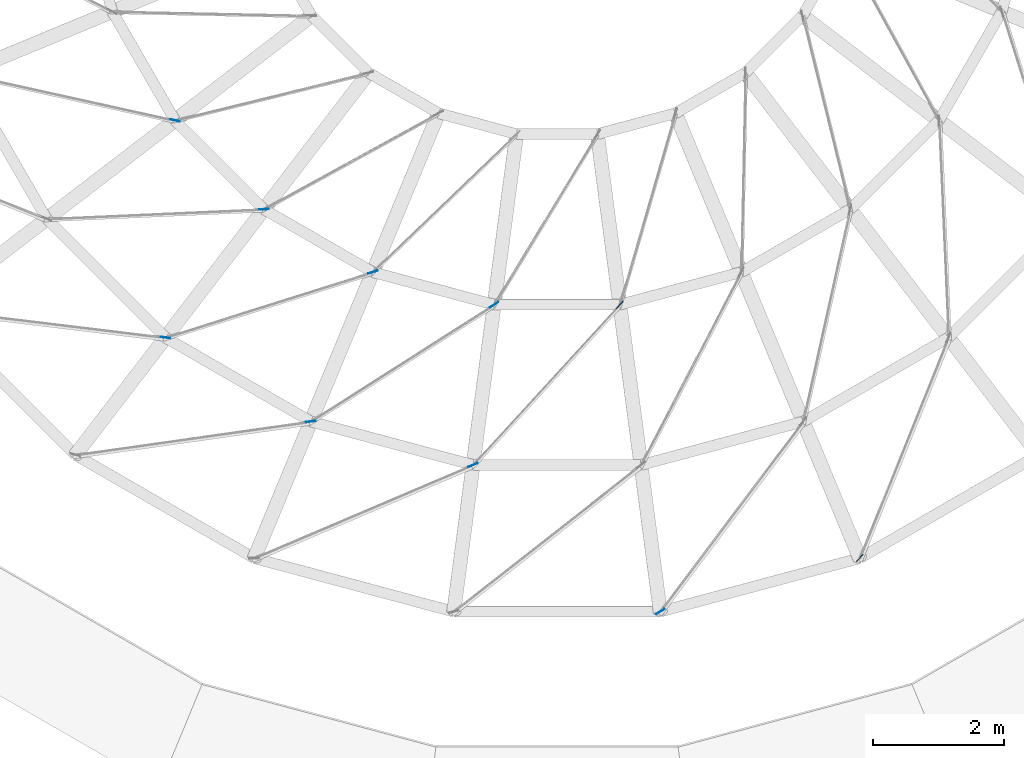
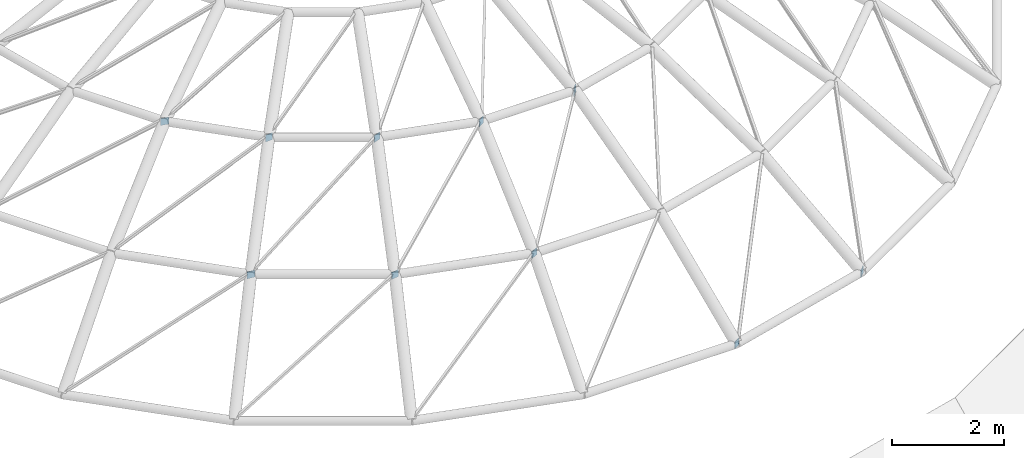
# One storey, part 18 of 33: 10 discrete accessories.
"""IFC4 building model written with IfcOpenShell, lengths in metres."""

import ifcopenshell
import ifcopenshell.guid

model = None  # the IFC model being written
_history = None  # IfcOwnerHistory: only IFC2X3 demands one
_inside = {}  # id of a spatial element -> (the spatial element, [elements in it])
_under = {}  # id of a project, library or spatial element -> (it, [spatial elements below it])
_declared = {}  # id of a project -> (the project, [libraries it declares])
_typed = {}  # id of a type object -> (the type object, [elements of that type])
_made_of = {}  # id of a material, layer set ... -> (it, [elements and type objects made of it])


def new_model(schema):
    """Start an empty IFC model of exactly this schema.

    Asked for "IFC4X3", IfcOpenShell would pick the latest addendum, in which some entities
    have other attributes; the version numbers below select the first issue.
    IFC2X3 requires an IfcOwnerHistory on every rooted entity: one is made here for all.
    """
    global model, _history
    if schema == "IFC4X3":
        model = ifcopenshell.file(schema_version=(4, 3, 0, 0))
    else:
        model = ifcopenshell.file(schema=schema)
    _inside.clear()
    _under.clear()
    _declared.clear()
    _typed.clear()
    _made_of.clear()
    _history = None
    if model.schema == "IFC2X3":
        org = make("IfcOrganization", Name="unknown")
        user = make(
            "IfcPersonAndOrganization",
            ThePerson=make("IfcPerson", FamilyName="unknown"),
            TheOrganization=org,
        )
        app = make(
            "IfcApplication",
            ApplicationDeveloper=org,
            Version="unknown",
            ApplicationFullName="unknown",
            ApplicationIdentifier="unknown",
        )
        _history = make(
            "IfcOwnerHistory",
            OwningUser=user,
            OwningApplication=app,
            ChangeAction="ADDED",
            CreationDate=0,
        )
    return model


def make(cls, **values):
    """One entity of the class cls with the attributes given. An attribute that is None is left unset."""
    return model.create_entity(
        cls, **{name: value for name, value in values.items() if value is not None}
    )


def rooted(cls, **values):
    """An entity with a GlobalId (a new one), such as an element, a storey or a relation."""
    return make(cls, GlobalId=ifcopenshell.guid.new(), OwnerHistory=_history, **values)


def si_unit(unit_type, name, prefix=None):
    """IfcSIUnit, for example si_unit("LENGTHUNIT", "METRE", prefix="MILLI")."""
    return make("IfcSIUnit", UnitType=unit_type, Prefix=prefix, Name=name)


def assignment(units):
    """IfcUnitAssignment: the units of a project."""
    return None if units is None else make("IfcUnitAssignment", Units=units)


def point(xyz):
    """IfcCartesianPoint."""
    return None if xyz is None else make("IfcCartesianPoint", Coordinates=xyz)


def direction(xyz):
    """IfcDirection."""
    return None if xyz is None else make("IfcDirection", DirectionRatios=xyz)


def frame(location, z_axis=None, x_axis=None):
    """IfcAxis2Placement3D, a coordinate frame: its origin and axes. An axis left out is left unset."""
    return make(
        "IfcAxis2Placement3D",
        Location=point(location),
        Axis=direction(z_axis),
        RefDirection=direction(x_axis),
    )


def frame_2d(location, x_axis=None):
    """IfcAxis2Placement2D, a coordinate frame in the plane: its origin and x axis."""
    return make(
        "IfcAxis2Placement2D", Location=point(location), RefDirection=direction(x_axis)
    )


def origin():
    """The frame at (0, 0, 0) with its axes left unset."""
    return frame((0.0, 0.0, 0.0))


def origin_2d():
    """The frame at (0, 0) in the plane with its x axis left unset."""
    return frame_2d((0.0, 0.0))


def place(relative_to, where):
    """IfcLocalPlacement: puts the frame where relative to a parent placement (None: the world)."""
    return make(
        "IfcLocalPlacement", PlacementRelTo=relative_to, RelativePlacement=where
    )


def context(
    kind, dimensions, precision=None, world=None, true_north=None, identifier=None
):
    """IfcGeometricRepresentationContext, for example the 3D "Model" context."""
    return make(
        "IfcGeometricRepresentationContext",
        ContextIdentifier=identifier,
        ContextType=kind,
        CoordinateSpaceDimension=dimensions,
        Precision=precision,
        WorldCoordinateSystem=world,
        TrueNorth=true_north,
    )


def subcontext(parent, identifier, kind, view, scale=None):
    """IfcGeometricRepresentationSubContext, for example "Body" below "Model"."""
    return make(
        "IfcGeometricRepresentationSubContext",
        ContextIdentifier=identifier,
        ContextType=kind,
        ParentContext=parent,
        TargetScale=scale,
        TargetView=view,
    )


def project(units=None, contexts=None):
    """IfcProject with its units and contexts."""
    return rooted(
        "IfcProject",
        Name="project",
        RepresentationContexts=contexts,
        UnitsInContext=assignment(units),
    )


def spatial(cls, under=None, at=None, **own):
    """A site, building, storey or space (cls), placed at a placement, below another one or the project."""
    s = rooted(cls, ObjectPlacement=at, **own)
    if under is not None:
        _under.setdefault(under.id(), (under, []))[1].append(s)
    return s


def profile(cls, at=None, kind="AREA", **sizes):
    """A parametric profile (cls). Its sizes go by their IFC names, for example OverallWidth=200.0."""
    return make(cls, ProfileType=kind, Position=at, **sizes)


def rectangle(**sizes):
    """IfcRectangleProfileDef."""
    return profile("IfcRectangleProfileDef", **sizes)


def extrude(swept, where, along, depth):
    """IfcExtrudedAreaSolid: the profile swept, set in the frame where, extruded along a direction by depth."""
    return make(
        "IfcExtrudedAreaSolid",
        SweptArea=swept,
        Position=where,
        ExtrudedDirection=direction(along),
        Depth=depth,
    )


def shape(context_of_items, identifier, shape_type, items):
    """IfcShapeRepresentation: the items that make up one representation, for example the "Body"."""
    return make(
        "IfcShapeRepresentation",
        ContextOfItems=context_of_items,
        RepresentationIdentifier=identifier,
        RepresentationType=shape_type,
        Items=items,
    )


def material(Name=None, Category=None):
    """IfcMaterial."""
    return make("IfcMaterial", Name=Name, Category=Category)


def made_of(thing, what):
    """Note that an element or type object is made of a material, layer set ...; save() writes the relation."""
    if what is not None:
        _made_of.setdefault(what.id(), (what, []))[1].append(thing)
    return thing


def type_object(cls, material=None, **own):
    """A type object (cls), such as IfcWallType, which elements share."""
    return made_of(rooted(cls, **own), material)


def element(
    cls,
    number,
    at=None,
    inside=None,
    cuts=None,
    type_object=None,
    material=None,
    context=None,
    identifier="Body",
    shape_type=None,
    held_by="IfcProductDefinitionShape",
    body=None,
    shapes=None,
    **own,
):
    """One element of the class cls, such as IfcWall. Its Tag is "e" and its number.

    at: its placement. inside: the storey or other place that contains it. cuts: it is an
    opening in that element (IfcRelVoidsElement). A single representation is given by context,
    identifier, shape_type and body (its items); several are given by shapes. held_by: the class
    of the entity that holds the representations. save() writes the other relations.
    """
    e = rooted(cls, Tag="e%d" % number, ObjectPlacement=at, **own)
    if body is not None:
        shapes = [shape(context, identifier, shape_type, body)]
    if shapes is not None:
        e.Representation = make(held_by, Representations=shapes)
    if inside is not None:
        _inside.setdefault(inside.id(), (inside, []))[1].append(e)
    if cuts is not None:
        rooted(
            "IfcRelVoidsElement", RelatingBuildingElement=cuts, RelatedOpeningElement=e
        )
    if type_object is not None:
        _typed.setdefault(type_object.id(), (type_object, []))[1].append(e)
    return made_of(e, material)


def aggregate(whole, parts):
    """IfcRelAggregates: a whole, such as a stair, and the parts it consists of."""
    return rooted("IfcRelAggregates", RelatingObject=whole, RelatedObjects=parts)


def save(model, path):
    """Write the relations noted so far, then the file.

    IfcRelAggregates (storeys below a building ...), IfcRelContainedInSpatialStructure (elements
    in a storey), IfcRelDefinesByType, IfcRelAssociatesMaterial and IfcRelDeclares: one each for
    every whole, place, type object, material and project.
    """
    for whole, parts in _under.values():
        aggregate(whole, parts)
    for where, things in _inside.values():
        rooted(
            "IfcRelContainedInSpatialStructure",
            RelatedElements=things,
            RelatingStructure=where,
        )
    for kind, things in _typed.values():
        rooted("IfcRelDefinesByType", RelatedObjects=things, RelatingType=kind)
    for what, things in _made_of.values():
        rooted("IfcRelAssociatesMaterial", RelatedObjects=things, RelatingMaterial=what)
    for by, libraries in _declared.values():
        rooted("IfcRelDeclares", RelatingContext=by, RelatedDefinitions=libraries)
    model.write(path)


model = new_model("IFC4")

# Units and contexts
model_context = context("Model", 3, precision=1e-05, world=origin(), true_north=direction((0.0, 1.0)))
body_context = subcontext(model_context, "Body", "Model", "MODEL_VIEW")
ifc_project = project(units=[si_unit("LENGTHUNIT", "METRE"), si_unit("AREAUNIT", "SQUARE_METRE"), si_unit("VOLUMEUNIT", "CUBIC_METRE"), si_unit("PLANEANGLEUNIT", "RADIAN"), si_unit("MASSUNIT", "GRAM", prefix="KILO")], contexts=[model_context])

# Site, building, storey
site_placement = place(None, origin())
site = spatial("IfcSite", under=ifc_project, at=site_placement, CompositionType="ELEMENT")
building_placement = place(site_placement, origin())
building = spatial("IfcBuilding", under=site, at=building_placement, Name="Hortulan Conservatory and Botanical Research Centre", CompositionType="ELEMENT")
storey_placement = place(building_placement, frame((0.0, 0.0, 19.199951171875)))
storey = spatial("IfcBuildingStorey", under=building, at=storey_placement, Name="L04", CompositionType="ELEMENT", Elevation=19.199951171875)

# Discrete accessories
ifc_material = material(Name="Steel Grade 300 plate (AS/NZS 3678, 280 MPa minimum yield)", Category="steel")
discrete_accessory_type = type_object("IfcDiscreteAccessoryType", Name="End Plate 150x10", PredefinedType="BRACKET", material=ifc_material)
for number, where, z_axis, x_axis, name in (
    (1, (48.010986328125, 10.195068359375, 1.972900390625), (0.0, 0.0, 1.0), (0.992692196339, -0.120673954637, 0.0), "Dome rod end plate"),
    (2, (48.157470703125, 13.516845703125, 3.236083984375), (0.0, 0.0, 1.0), (0.976379041994, -0.216064727236, 0.0), "Dome rod end plate"),
    (3, (49.516845703125, 12.157470703125, 3.236083984375), (0.0, 0.0, 1.0), (0.999031399293, 0.044002991119, 0.0), "Dome rod end plate"),
    (4, (50.235107421875, 8.9111328125, 1.972900390625), (0.0, 0.0, 1.0), (0.990092396827, 0.140417398302, 0.0), "Dome rod end plate"),
    (5, (51.181884765625, 11.1962890625, 3.236083984375), (0.0, 0.0, 1.0), (0.953596162865, 0.301088621787, 0.0), "Dome rod end plate"),
    (6, (52.7158203125, 8.246337890625, 1.972900390625), (0.0, 0.0, 1.0), (0.920026798459, 0.391855445435, 0.0), "Dome rod end plate"),
    (7, (53.038818359375, 10.698486328125, 3.236083984375), (0.0, 0.0, 1.0), (0.84320384149, 0.537593974759, 0.0), "Dome rod end plate"),
    (8, (54.961181640625, 10.698486328125, 3.236083984375), (0.0, 0.0, 1.0), (0.675307063645, 0.737536690471, 0.0), "Dome rod end plate"),
    (9, (55.579345703125, 6.00341796875, 0.361572265625), (0.0, 0.0, 1.0), (0.864836141327, 0.502054228799, 0.0), "Dome rod end plate"),
    (10, (58.630615234375, 6.821044921875, 0.361572265625), (0.0, 0.0, 1.0), (0.705438738822, 0.708770897942, 0.0), "Dome rod end plate"),
):
    element("IfcDiscreteAccessory", number, at=place(storey_placement, frame(where, z_axis=z_axis, x_axis=x_axis)), inside=storey, type_object=discrete_accessory_type, Name=name, PredefinedType="BRACKET", context=body_context, shape_type="SweptSolid", body=[
        extrude(rectangle(XDim=0.14990234375, YDim=0.010009765625, at=origin_2d()), origin(), (0.0, 0.0, 1.0), 0.14990234375),
    ])

save(model, "model.ifc")
